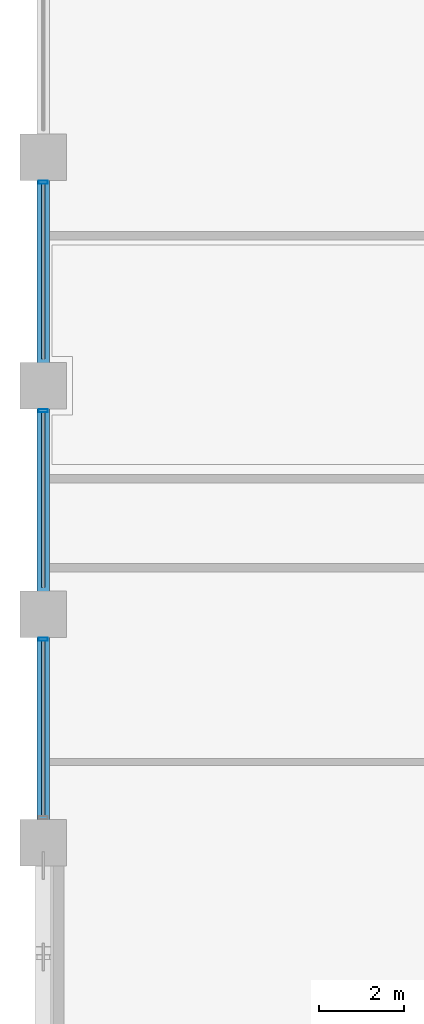
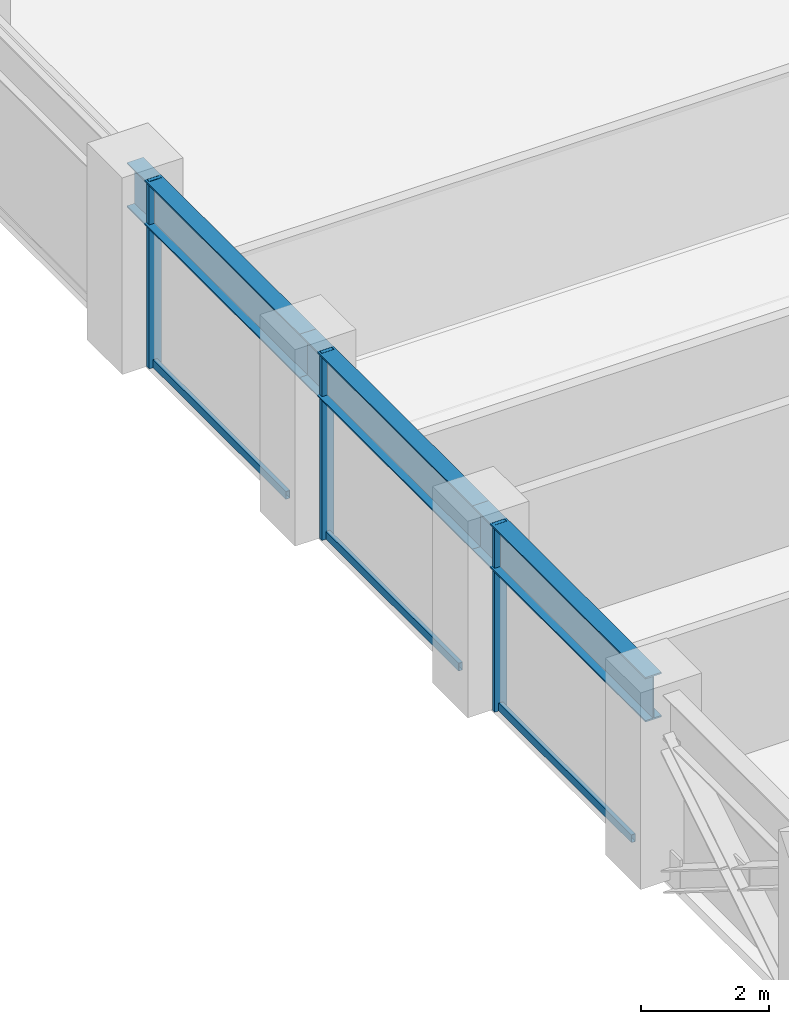
# One storey, part 6 of 25: 6 members, 3 beams, 1 element without a shape of its own.
"""IFC4 building model written with IfcOpenShell, lengths in metres."""

from ifc_helpers import new_model, si_unit, direction, frame, origin, origin_2d, place, context, subcontext, project, spatial, hollow_rectangle, i_section, extrude, material, layer, layer_set, material_profile, profile_set, type_object, element, aggregate, save


model = new_model("IFC4")

# Units and contexts
model_context = context("Model", 3, precision=1e-05, world=origin(), true_north=direction((0.0, 1.0)))
body_context = subcontext(model_context, "Body", "Model", "MODEL_VIEW")
ifc_project = project(units=[si_unit("LENGTHUNIT", "METRE"), si_unit("AREAUNIT", "SQUARE_METRE"), si_unit("VOLUMEUNIT", "CUBIC_METRE"), si_unit("PLANEANGLEUNIT", "RADIAN"), si_unit("MASSUNIT", "GRAM", prefix="KILO")], contexts=[model_context])

# Site, building, storey
site_placement = place(None, origin())
site = spatial("IfcSite", under=ifc_project, at=site_placement, CompositionType="ELEMENT")
building_placement = place(site_placement, origin())
building = spatial("IfcBuilding", under=site, at=building_placement, Name="Surkhivell Harbour Commons", CompositionType="ELEMENT")
storey_placement = place(building_placement, frame((0.0, 0.0, 124.5)))
storey = spatial("IfcBuildingStorey", under=building, at=storey_placement, Name="L32", CompositionType="ELEMENT", Elevation=124.5)

# Beams
ifc_material_1 = material(Name="Steel S460", Category="steel")
ifc_material_profile_1 = material_profile(ifc_material_1, i_section(OverallWidth=0.2939453125, OverallDepth=0.85107421875, WebThickness=0.01611328125, FlangeThickness=0.02685546875, at=origin_2d()), Name="UB838x292x226")
ifc_profile_set_1 = profile_set([ifc_material_profile_1], Name="Steel S460")
beam_type = type_object("IfcBeamType", Name="BM-SPN-838", PredefinedType="SPANDREL", material=ifc_profile_set_1)
beam_placement = place(storey_placement, frame((-32.39990234375, -10.800048828125, 3.14453125), z_axis=(0.0, 1.0, 0.0), x_axis=(-1.0, 0.0, 0.0)))
element("IfcBeam", 1, at=beam_placement, inside=storey, type_object=beam_type, Name="L32 Tube Spandrel (-32.4,-10.8)", PredefinedType="SPANDREL", context=body_context, shape_type="SweptSolid", body=[
    extrude(i_section(OverallWidth=0.2939453125, OverallDepth=0.85107421875, WebThickness=0.01611328125, FlangeThickness=0.02685546875, at=origin_2d()), origin(), (0.0, 0.0, 1.0), 5.400146484375),
])
for number, where, z_axis, x_axis, name in (
    (2, (-32.39990234375, -5.39990234375, 3.14453125), (0.0, 1.0, 0.0), (-1.0, 0.0, 0.0), "L32 Tube Spandrel (-32.4,-5.4)"),
    (3, (-32.39990234375, 0.0, 3.14453125), (0.0, 1.0, 0.0), (-1.0, 0.0, 0.0), "L32 Tube Spandrel (-32.4,0.0)"),
):
    element("IfcBeam", number, at=place(storey_placement, frame(where, z_axis=z_axis, x_axis=x_axis)), inside=storey, type_object=beam_type, Name=name, PredefinedType="SPANDREL", context=body_context, shape_type="SweptSolid", body=[
        extrude(i_section(OverallWidth=0.2939453125, OverallDepth=0.85107421875, WebThickness=0.01611328125, FlangeThickness=0.02685546875, at=origin_2d()), origin(), (0.0, 0.0, 1.0), 5.39990234375),
    ])

# Curtain wall, members
ifc_material_2 = material(Name="Anodised pale-metal aluminium and insulated glazing", Category="aluminium")
ifc_layer = layer(ifc_material_2, 0.205078125)
ifc_layer_set = layer_set([ifc_layer], Name="Anodised pale-metal aluminium and insulated glazing")
curtain_wall_type = type_object("IfcCurtainWallType", Name="CW-SYS-Z2", PredefinedType="NOTDEFINED", material=ifc_layer_set)
curtain_wall_placement = place(storey_placement, origin())
curtain_wall = element("IfcCurtainWall", 4, at=curtain_wall_placement, inside=storey, type_object=curtain_wall_type, Name="L32 Curtain Wall CW-L32-E12S1", PredefinedType="NOTDEFINED")
ifc_material_3 = material(Name="Anodised pale-metal aluminium alloy 6063-T6", Category="aluminium")
ifc_material_profile_2 = material_profile(ifc_material_3, hollow_rectangle(XDim=0.074951171875, YDim=0.219970703125, WallThickness=0.00390625, at=origin_2d()), Name="ALU-MULL-75x220")
ifc_profile_set_2 = profile_set([ifc_material_profile_2], Name="Anodised pale-metal aluminium alloy 6063-T6")
member_type_1 = type_object("IfcMemberType", Name="CWM-220", PredefinedType="MULLION", material=ifc_profile_set_2)
member_1_placement = place(storey_placement, frame((-32.39990234375, 4.810546875, 0.0), z_axis=(0.0, 0.0, 1.0), x_axis=(0.0, -1.0, 0.0)))
member_1 = element("IfcMember", 5, at=member_1_placement, type_object=member_type_1, Name="CW-Z2 mullion 4", PredefinedType="MULLION", context=body_context, shape_type="SweptSolid", body=[
    extrude(hollow_rectangle(XDim=0.074951171875, YDim=0.219970703125, WallThickness=0.00390625, at=origin_2d()), origin(), (0.0, 0.0, 1.0), 3.570068359375),
])
member_2_placement = place(storey_placement, frame((-32.39990234375, -0.589599609375, 0.0), z_axis=(0.0, 0.0, 1.0), x_axis=(0.0, -1.0, 0.0)))
member_2 = element("IfcMember", 6, at=member_2_placement, type_object=member_type_1, Name="CW-Z2 mullion 5", PredefinedType="MULLION", context=body_context, shape_type="SweptSolid", body=[
    extrude(hollow_rectangle(XDim=0.074951171875, YDim=0.219970703125, WallThickness=0.00390625, at=origin_2d()), origin(), (0.0, 0.0, 1.0), 3.570068359375),
])
member_3_placement = place(storey_placement, frame((-32.39990234375, -5.989501953125, 0.0), z_axis=(0.0, 0.0, 1.0), x_axis=(0.0, -1.0, 0.0)))
member_3 = element("IfcMember", 7, at=member_3_placement, type_object=member_type_1, Name="CW-Z2 mullion 6", PredefinedType="MULLION", context=body_context, shape_type="SweptSolid", body=[
    extrude(hollow_rectangle(XDim=0.074951171875, YDim=0.219970703125, WallThickness=0.00390625, at=origin_2d()), origin(), (0.0, 0.0, 1.0), 3.570068359375),
])
ifc_material_profile_3 = material_profile(ifc_material_3, hollow_rectangle(XDim=0.074951171875, YDim=0.14990234375, WallThickness=0.00341796875, at=origin_2d()), Name="ALU-TRAN-75x150")
ifc_profile_set_3 = profile_set([ifc_material_profile_3], Name="Anodised pale-metal aluminium alloy 6063-T6")
member_type_2 = type_object("IfcMemberType", Name="CWT-150", PredefinedType="USERDEFINED", material=ifc_profile_set_3)
member_4_placement = place(storey_placement, frame((-32.39990234375, 4.77294921875, 0.074951171875), z_axis=(0.0, -1.0, 0.0), x_axis=(1.0, 0.0, 0.0)))
member_4 = element("IfcMember", 8, at=member_4_placement, type_object=member_type_2, Name="CW-Z2 transom 4.1", ObjectType="TRANSOM", PredefinedType="USERDEFINED", context=body_context, shape_type="SweptSolid", body=[
    extrude(hollow_rectangle(XDim=0.074951171875, YDim=0.14990234375, WallThickness=0.00341796875, at=origin_2d()), origin(), (0.0, 0.0, 1.0), 4.14599609375),
])
member_5_placement = place(storey_placement, frame((-32.39990234375, -0.626953125, 0.074951171875), z_axis=(0.0, -1.0, 0.0), x_axis=(1.0, 0.0, 0.0)))
member_5 = element("IfcMember", 9, at=member_5_placement, type_object=member_type_2, Name="CW-Z2 transom 5.1", ObjectType="TRANSOM", PredefinedType="USERDEFINED", context=body_context, shape_type="SweptSolid", body=[
    extrude(hollow_rectangle(XDim=0.074951171875, YDim=0.14990234375, WallThickness=0.00341796875, at=origin_2d()), origin(), (0.0, 0.0, 1.0), 4.14599609375),
])
member_6_placement = place(storey_placement, frame((-32.39990234375, -6.027099609375, 0.074951171875), z_axis=(0.0, -1.0, 0.0), x_axis=(1.0, 0.0, 0.0)))
member_6 = element("IfcMember", 10, at=member_6_placement, type_object=member_type_2, Name="CW-Z2 transom 6.1", ObjectType="TRANSOM", PredefinedType="USERDEFINED", context=body_context, shape_type="SweptSolid", body=[
    extrude(hollow_rectangle(XDim=0.074951171875, YDim=0.14990234375, WallThickness=0.00341796875, at=origin_2d()), origin(), (0.0, 0.0, 1.0), 4.14599609375),
])
aggregate(curtain_wall, [member_1, member_4, member_2, member_5, member_3, member_6])

save(model, "model.ifc")
